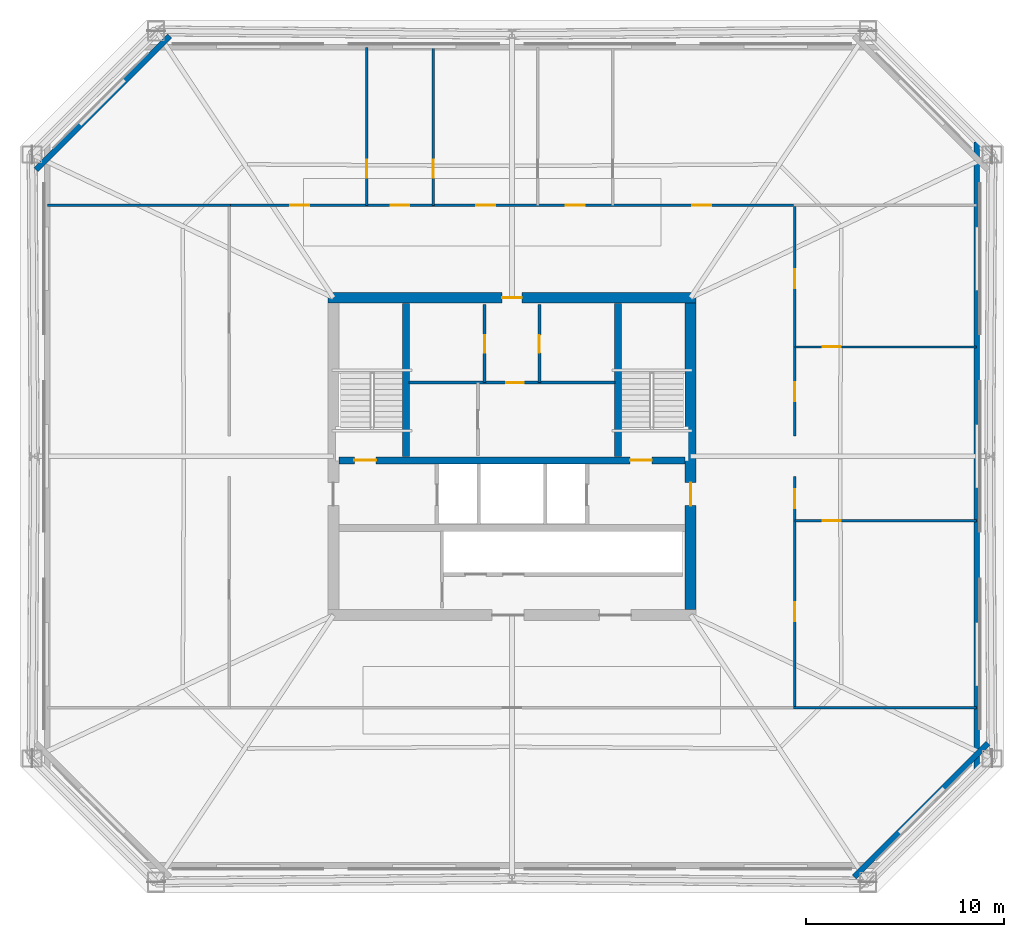
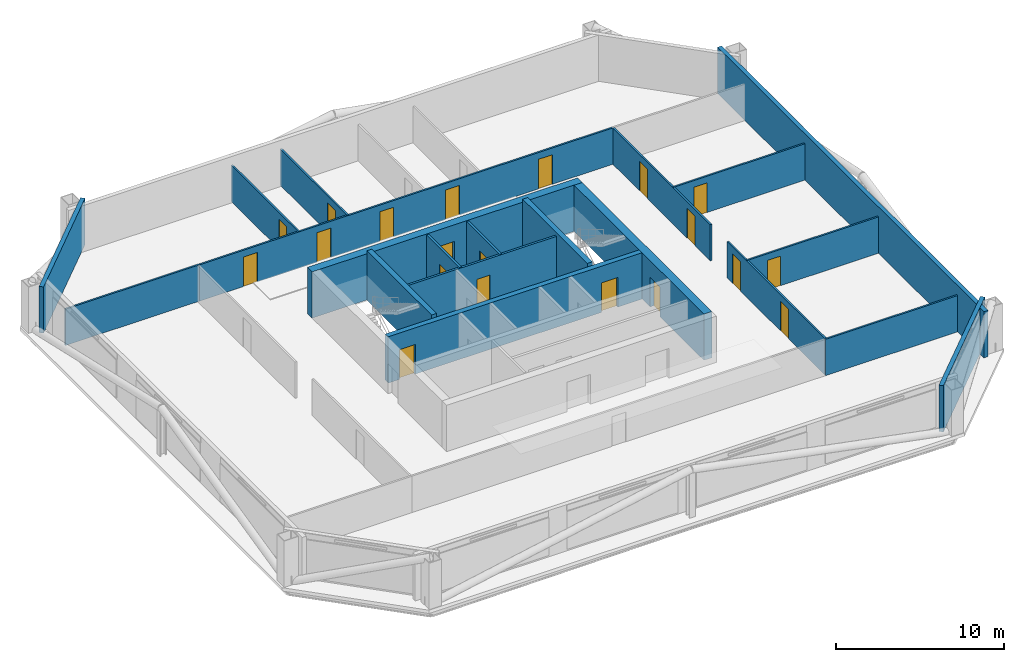
# One storey, part 3 of 6: 20 doors, 20 walls, 20 openings.
"""IFC4 building model written with IfcOpenShell, lengths in metres."""

import ifcopenshell
import ifcopenshell.guid

model = None  # the IFC model being written
_history = None  # IfcOwnerHistory: only IFC2X3 demands one
_inside = {}  # id of a spatial element -> (the spatial element, [elements in it])
_under = {}  # id of a project, library or spatial element -> (it, [spatial elements below it])
_declared = {}  # id of a project -> (the project, [libraries it declares])
_typed = {}  # id of a type object -> (the type object, [elements of that type])
_made_of = {}  # id of a material, layer set ... -> (it, [elements and type objects made of it])


def new_model(schema):
    """Start an empty IFC model of exactly this schema.

    Asked for "IFC4X3", IfcOpenShell would pick the latest addendum, in which some entities
    have other attributes; the version numbers below select the first issue.
    IFC2X3 requires an IfcOwnerHistory on every rooted entity: one is made here for all.
    """
    global model, _history
    if schema == "IFC4X3":
        model = ifcopenshell.file(schema_version=(4, 3, 0, 0))
    else:
        model = ifcopenshell.file(schema=schema)
    _inside.clear()
    _under.clear()
    _declared.clear()
    _typed.clear()
    _made_of.clear()
    _history = None
    if model.schema == "IFC2X3":
        org = make("IfcOrganization", Name="unknown")
        user = make(
            "IfcPersonAndOrganization",
            ThePerson=make("IfcPerson", FamilyName="unknown"),
            TheOrganization=org,
        )
        app = make(
            "IfcApplication",
            ApplicationDeveloper=org,
            Version="unknown",
            ApplicationFullName="unknown",
            ApplicationIdentifier="unknown",
        )
        _history = make(
            "IfcOwnerHistory",
            OwningUser=user,
            OwningApplication=app,
            ChangeAction="ADDED",
            CreationDate=0,
        )
    return model


def make(cls, **values):
    """One entity of the class cls with the attributes given. An attribute that is None is left unset."""
    return model.create_entity(
        cls, **{name: value for name, value in values.items() if value is not None}
    )


def rooted(cls, **values):
    """An entity with a GlobalId (a new one), such as an element, a storey or a relation."""
    return make(cls, GlobalId=ifcopenshell.guid.new(), OwnerHistory=_history, **values)


def si_unit(unit_type, name, prefix=None):
    """IfcSIUnit, for example si_unit("LENGTHUNIT", "METRE", prefix="MILLI")."""
    return make("IfcSIUnit", UnitType=unit_type, Prefix=prefix, Name=name)


def assignment(units):
    """IfcUnitAssignment: the units of a project."""
    return None if units is None else make("IfcUnitAssignment", Units=units)


def point(xyz):
    """IfcCartesianPoint."""
    return None if xyz is None else make("IfcCartesianPoint", Coordinates=xyz)


def direction(xyz):
    """IfcDirection."""
    return None if xyz is None else make("IfcDirection", DirectionRatios=xyz)


def frame(location, z_axis=None, x_axis=None):
    """IfcAxis2Placement3D, a coordinate frame: its origin and axes. An axis left out is left unset."""
    return make(
        "IfcAxis2Placement3D",
        Location=point(location),
        Axis=direction(z_axis),
        RefDirection=direction(x_axis),
    )


def frame_2d(location, x_axis=None):
    """IfcAxis2Placement2D, a coordinate frame in the plane: its origin and x axis."""
    return make(
        "IfcAxis2Placement2D", Location=point(location), RefDirection=direction(x_axis)
    )


def origin():
    """The frame at (0, 0, 0) with its axes left unset."""
    return frame((0.0, 0.0, 0.0))


def place(relative_to, where):
    """IfcLocalPlacement: puts the frame where relative to a parent placement (None: the world)."""
    return make(
        "IfcLocalPlacement", PlacementRelTo=relative_to, RelativePlacement=where
    )


def context(
    kind, dimensions, precision=None, world=None, true_north=None, identifier=None
):
    """IfcGeometricRepresentationContext, for example the 3D "Model" context."""
    return make(
        "IfcGeometricRepresentationContext",
        ContextIdentifier=identifier,
        ContextType=kind,
        CoordinateSpaceDimension=dimensions,
        Precision=precision,
        WorldCoordinateSystem=world,
        TrueNorth=true_north,
    )


def subcontext(parent, identifier, kind, view, scale=None):
    """IfcGeometricRepresentationSubContext, for example "Body" below "Model"."""
    return make(
        "IfcGeometricRepresentationSubContext",
        ContextIdentifier=identifier,
        ContextType=kind,
        ParentContext=parent,
        TargetScale=scale,
        TargetView=view,
    )


def project(units=None, contexts=None):
    """IfcProject with its units and contexts."""
    return rooted(
        "IfcProject",
        Name="project",
        RepresentationContexts=contexts,
        UnitsInContext=assignment(units),
    )


def spatial(cls, under=None, at=None, **own):
    """A site, building, storey or space (cls), placed at a placement, below another one or the project."""
    s = rooted(cls, ObjectPlacement=at, **own)
    if under is not None:
        _under.setdefault(under.id(), (under, []))[1].append(s)
    return s


def profile(cls, at=None, kind="AREA", **sizes):
    """A parametric profile (cls). Its sizes go by their IFC names, for example OverallWidth=200.0."""
    return make(cls, ProfileType=kind, Position=at, **sizes)


def rectangle(**sizes):
    """IfcRectangleProfileDef."""
    return profile("IfcRectangleProfileDef", **sizes)


def extrude(swept, where, along, depth):
    """IfcExtrudedAreaSolid: the profile swept, set in the frame where, extruded along a direction by depth."""
    return make(
        "IfcExtrudedAreaSolid",
        SweptArea=swept,
        Position=where,
        ExtrudedDirection=direction(along),
        Depth=depth,
    )


def shape(context_of_items, identifier, shape_type, items):
    """IfcShapeRepresentation: the items that make up one representation, for example the "Body"."""
    return make(
        "IfcShapeRepresentation",
        ContextOfItems=context_of_items,
        RepresentationIdentifier=identifier,
        RepresentationType=shape_type,
        Items=items,
    )


def material(Name=None, Category=None):
    """IfcMaterial."""
    return make("IfcMaterial", Name=Name, Category=Category)


def layer(
    of_material, thickness, ventilated=None, Name=None, Category=None, Priority=None
):
    """IfcMaterialLayer: one layer of a wall or slab, of a material (None: an air gap)."""
    return make(
        "IfcMaterialLayer",
        Material=of_material,
        LayerThickness=thickness,
        IsVentilated=ventilated,
        Name=Name,
        Category=Category,
        Priority=Priority,
    )


def layer_set(layers, Name=None):
    """IfcMaterialLayerSet."""
    return make("IfcMaterialLayerSet", MaterialLayers=layers, LayerSetName=Name)


def made_of(thing, what):
    """Note that an element or type object is made of a material, layer set ...; save() writes the relation."""
    if what is not None:
        _made_of.setdefault(what.id(), (what, []))[1].append(thing)
    return thing


def type_object(cls, material=None, **own):
    """A type object (cls), such as IfcWallType, which elements share."""
    return made_of(rooted(cls, **own), material)


def element(
    cls,
    number,
    at=None,
    inside=None,
    cuts=None,
    type_object=None,
    material=None,
    context=None,
    identifier="Body",
    shape_type=None,
    held_by="IfcProductDefinitionShape",
    body=None,
    shapes=None,
    **own,
):
    """One element of the class cls, such as IfcWall. Its Tag is "e" and its number.

    at: its placement. inside: the storey or other place that contains it. cuts: it is an
    opening in that element (IfcRelVoidsElement). A single representation is given by context,
    identifier, shape_type and body (its items); several are given by shapes. held_by: the class
    of the entity that holds the representations. save() writes the other relations.
    """
    e = rooted(cls, Tag="e%d" % number, ObjectPlacement=at, **own)
    if body is not None:
        shapes = [shape(context, identifier, shape_type, body)]
    if shapes is not None:
        e.Representation = make(held_by, Representations=shapes)
    if inside is not None:
        _inside.setdefault(inside.id(), (inside, []))[1].append(e)
    if cuts is not None:
        rooted(
            "IfcRelVoidsElement", RelatingBuildingElement=cuts, RelatedOpeningElement=e
        )
    if type_object is not None:
        _typed.setdefault(type_object.id(), (type_object, []))[1].append(e)
    return made_of(e, material)


def fill(opening, filler):
    """IfcRelFillsElement: the door or window that sits in an opening."""
    return rooted(
        "IfcRelFillsElement",
        RelatingOpeningElement=opening,
        RelatedBuildingElement=filler,
    )


def aggregate(whole, parts):
    """IfcRelAggregates: a whole, such as a stair, and the parts it consists of."""
    return rooted("IfcRelAggregates", RelatingObject=whole, RelatedObjects=parts)


def save(model, path):
    """Write the relations noted so far, then the file.

    IfcRelAggregates (storeys below a building ...), IfcRelContainedInSpatialStructure (elements
    in a storey), IfcRelDefinesByType, IfcRelAssociatesMaterial and IfcRelDeclares: one each for
    every whole, place, type object, material and project.
    """
    for whole, parts in _under.values():
        aggregate(whole, parts)
    for where, things in _inside.values():
        rooted(
            "IfcRelContainedInSpatialStructure",
            RelatedElements=things,
            RelatingStructure=where,
        )
    for kind, things in _typed.values():
        rooted("IfcRelDefinesByType", RelatedObjects=things, RelatingType=kind)
    for what, things in _made_of.values():
        rooted("IfcRelAssociatesMaterial", RelatedObjects=things, RelatingMaterial=what)
    for by, libraries in _declared.values():
        rooted("IfcRelDeclares", RelatingContext=by, RelatedDefinitions=libraries)
    model.write(path)


model = new_model("IFC4")

# Units and contexts
model_context = context("Model", 3, precision=1e-05, world=origin(), true_north=direction((0.0, 1.0)))
body_context = subcontext(model_context, "Body", "Model", "MODEL_VIEW")
ifc_project = project(units=[si_unit("LENGTHUNIT", "METRE"), si_unit("AREAUNIT", "SQUARE_METRE"), si_unit("VOLUMEUNIT", "CUBIC_METRE"), si_unit("PLANEANGLEUNIT", "RADIAN"), si_unit("MASSUNIT", "GRAM", prefix="KILO")], contexts=[model_context])

# Site, building, storey
site_placement = place(None, origin())
site = spatial("IfcSite", under=ifc_project, at=site_placement, CompositionType="ELEMENT")
building_placement = place(site_placement, origin())
building = spatial("IfcBuilding", under=site, at=building_placement, Name="Caelvoria Tower", CompositionType="ELEMENT")
storey_placement = place(building_placement, frame((0.0, 0.0, 160.0)))
storey = spatial("IfcBuildingStorey", under=building, at=storey_placement, Name="L42", CompositionType="ELEMENT", Elevation=160.0)

# Wall, openings, doors
ifc_material_1 = material(Name="Concrete C50/60", Category="concrete")
ifc_layer_1 = layer(ifc_material_1, 0.35009765625, Name="Concrete C50/60")
ifc_layer_set_1 = layer_set([ifc_layer_1], Name="Core Internal Shear Wall 350 - Concrete C50/60")
wall_type_1 = type_object("IfcWallType", Name="Core Internal Shear Wall 350", PredefinedType="SHEAR", material=ifc_layer_set_1)
wall_1_placement = place(storey_placement, frame((37.27490234375, 31.800048828125, 0.0), z_axis=(0.0, 0.0, 1.0), x_axis=(1.0, 0.0, 0.0)))
wall_1 = element("IfcWall", 1, at=wall_1_placement, inside=storey, type_object=wall_type_1, Name="Core Shear Wall L42 M1", PredefinedType="SHEAR", context=body_context, shape_type="SweptSolid", body=[
    extrude(rectangle(XDim=17.4501953125, YDim=0.35009765625, at=frame_2d((8.72509765625, 0.0))), origin(), (0.0, 0.0, 1.0), 3.360107421875),
])
opening_1_placement = place(wall_1_placement, frame((0.77490234375, 0.0, 0.0)))
opening_1 = element("IfcOpeningElement", 2, at=opening_1_placement, cuts=wall_1, Name="Opening ID-01", PredefinedType="OPENING", context=body_context, shape_type="SweptSolid", body=[
    extrude(rectangle(XDim=1.10009765625, YDim=2.14990234375, at=frame_2d((0.550048828125, 1.074951171875))), frame((0.0, 0.18505859375, 0.0), z_axis=(0.0, -1.0, 0.0), x_axis=(1.0, 0.0, 0.0)), (0.0, 0.0, 1.0), 0.3701171875),
])
opening_2_placement = place(wall_1_placement, frame((14.675048828125, 0.0, 0.0)))
opening_2 = element("IfcOpeningElement", 3, at=opening_2_placement, cuts=wall_1, Name="Opening ID-01", PredefinedType="OPENING", context=body_context, shape_type="SweptSolid", body=[
    extrude(rectangle(XDim=1.10009765625, YDim=2.14990234375, at=frame_2d((0.550048828125, 1.074951171875))), frame((0.0, 0.18505859375, 0.0), z_axis=(0.0, -1.0, 0.0), x_axis=(1.0, 0.0, 0.0)), (0.0, 0.0, 1.0), 0.3701171875),
])
ifc_material_2 = material(Name="Painted Hollow Steel Fire Door", Category="steel")
door_type_1 = type_object("IfcDoorType", Name="Fire Door FD90S 1100x2150", OperationType="NOTDEFINED", PredefinedType="DOOR", material=ifc_material_2)
door_1_placement = place(opening_1_placement, origin())
door_1 = element("IfcDoor", 4, at=door_1_placement, inside=storey, type_object=door_type_1, Name="Core Door DR-L42-ST1", OperationType="SINGLE_SWING_LEFT", OverallHeight=2.14990234375, OverallWidth=1.10009765625, PredefinedType="DOOR", context=body_context, shape_type="SweptSolid", body=[
    extrude(rectangle(XDim=1.10009765625, YDim=2.14990234375, at=frame_2d((0.550048828125, 1.074951171875))), frame((0.0, 0.02490234375, 0.0), z_axis=(0.0, -1.0, 0.0), x_axis=(1.0, 0.0, 0.0)), (0.0, 0.0, 1.0), 0.050048828125),
])
fill(opening_1, door_1)
door_2_placement = place(opening_2_placement, origin())
door_2 = element("IfcDoor", 5, at=door_2_placement, inside=storey, type_object=door_type_1, Name="Core Door DR-L42-ST2", OperationType="SINGLE_SWING_RIGHT", OverallHeight=2.14990234375, OverallWidth=1.10009765625, PredefinedType="DOOR", context=body_context, shape_type="SweptSolid", body=[
    extrude(rectangle(XDim=1.10009765625, YDim=2.14990234375, at=frame_2d((0.550048828125, 1.074951171875))), frame((0.0, 0.02490234375, 0.0), z_axis=(0.0, -1.0, 0.0), x_axis=(1.0, 0.0, 0.0)), (0.0, 0.0, 1.0), 0.050048828125),
])
fill(opening_2, door_2)

# Walls
for number, where, z_axis, x_axis, name in (
    (6, (40.64990234375, 32.0, 0.0), (0.0, 0.0, 1.0), (0.0, 1.0, 0.0), "Interior Partition IW-L42-ST1E"),
    (7, (51.35009765625, 32.0, 0.0), (0.0, 0.0, 1.0), (0.0, 1.0, 0.0), "Interior Partition IW-L42-ST2W"),
):
    element("IfcWall", number, at=place(storey_placement, frame(where, z_axis=z_axis, x_axis=x_axis)), inside=storey, type_object=wall_type_1, Name=name, PredefinedType="SHEAR", context=body_context, shape_type="SweptSolid", body=[
        extrude(rectangle(XDim=7.699951171875, YDim=0.35009765625, at=frame_2d((3.85009765625, 0.0))), origin(), (0.0, 0.0, 1.0), 3.60009765625),
    ])

# Wall, opening, door
ifc_material_3 = material(Name="Double Gypsum Board on Steel Stud", Category="steel")
ifc_layer_2 = layer(ifc_material_3, 0.14990234375, Name="Double Gypsum Board on Steel Stud")
ifc_layer_set_2 = layer_set([ifc_layer_2], Name="Core Service Acoustic Partition Wall 150 - Double Gypsum Board on Steel Stud")
wall_type_2 = type_object("IfcWallType", Name="Core Service Acoustic Partition Wall 150", PredefinedType="PARTITIONING", material=ifc_layer_set_2)
wall_2_placement = place(storey_placement, frame((44.6201171875, 35.719970703125, 0.0), z_axis=(0.0, 0.0, 1.0), x_axis=(0.0, 1.0, 0.0)))
wall_2 = element("IfcWall", 8, at=wall_2_placement, inside=storey, type_object=wall_type_2, Name="Interior Partition IW-L42-C0L", PredefinedType="PARTITIONING", context=body_context, shape_type="SweptSolid", body=[
    extrude(rectangle(XDim=3.929931640625, YDim=0.14990234375, at=frame_2d((1.96484375, 0.0))), origin(), (0.0, 0.0, 1.0), 3.360107421875),
])
opening_3_placement = place(wall_2_placement, frame((1.5, 0.0, 0.0)))
opening_3 = element("IfcOpeningElement", 9, at=opening_3_placement, cuts=wall_2, Name="Opening ID-06", PredefinedType="OPENING", context=body_context, shape_type="SweptSolid", body=[
    extrude(rectangle(XDim=0.89990234375, YDim=2.14990234375, at=frame_2d((0.449951171875, 1.074951171875))), frame((0.0, 0.0849609375, 0.0), z_axis=(0.0, -1.0, 0.0), x_axis=(1.0, 0.0, 0.0)), (0.0, 0.0, 1.0), 0.169921875),
])
ifc_material_4 = material(Name="Engineered Andean Oak Veneer Door", Category="wood")
door_type_2 = type_object("IfcDoorType", Name="Interior Timber Door 900x2150", OperationType="NOTDEFINED", PredefinedType="DOOR", material=ifc_material_4)
door_3_placement = place(opening_3_placement, origin())
door_3 = element("IfcDoor", 10, at=door_3_placement, inside=storey, type_object=door_type_2, Name="Interior Door DR-L42-C01", OperationType="SINGLE_SWING_LEFT", OverallHeight=2.14990234375, OverallWidth=0.89990234375, PredefinedType="DOOR", context=body_context, shape_type="SweptSolid", body=[
    extrude(rectangle(XDim=0.89990234375, YDim=2.14990234375, at=frame_2d((0.449951171875, 1.074951171875))), frame((0.0, 0.02490234375, 0.0), z_axis=(0.0, -1.0, 0.0), x_axis=(1.0, 0.0, 0.0)), (0.0, 0.0, 1.0), 0.050048828125),
])
fill(opening_3, door_3)

wall_3_placement = place(storey_placement, frame((47.3798828125, 35.719970703125, 0.0), z_axis=(0.0, 0.0, 1.0), x_axis=(0.0, 1.0, 0.0)))
wall_3 = element("IfcWall", 11, at=wall_3_placement, inside=storey, type_object=wall_type_2, Name="Interior Partition IW-L42-C0R", PredefinedType="PARTITIONING", context=body_context, shape_type="SweptSolid", body=[
    extrude(rectangle(XDim=3.929931640625, YDim=0.14990234375, at=frame_2d((1.96484375, 0.0))), origin(), (0.0, 0.0, 1.0), 3.360107421875),
])
opening_4_placement = place(wall_3_placement, frame((1.5, 0.0, 0.0)))
opening_4 = element("IfcOpeningElement", 12, at=opening_4_placement, cuts=wall_3, Name="Opening ID-06", PredefinedType="OPENING", context=body_context, shape_type="SweptSolid", body=[
    extrude(rectangle(XDim=0.89990234375, YDim=2.14990234375, at=frame_2d((0.449951171875, 1.074951171875))), frame((0.0, 0.0849609375, 0.0), z_axis=(0.0, -1.0, 0.0), x_axis=(1.0, 0.0, 0.0)), (0.0, 0.0, 1.0), 0.169921875),
])
door_4_placement = place(opening_4_placement, origin())
door_4 = element("IfcDoor", 13, at=door_4_placement, inside=storey, type_object=door_type_2, Name="Interior Door DR-L42-C02", OperationType="SINGLE_SWING_RIGHT", OverallHeight=2.14990234375, OverallWidth=0.89990234375, PredefinedType="DOOR", context=body_context, shape_type="SweptSolid", body=[
    extrude(rectangle(XDim=0.89990234375, YDim=2.14990234375, at=frame_2d((0.449951171875, 1.074951171875))), frame((0.0, 0.02490234375, 0.0), z_axis=(0.0, -1.0, 0.0), x_axis=(1.0, 0.0, 0.0)), (0.0, 0.0, 1.0), 0.050048828125),
])
fill(opening_4, door_4)

wall_4_placement = place(storey_placement, frame((40.800048828125, 35.719970703125, 0.0), z_axis=(0.0, 0.0, 1.0), x_axis=(1.0, 0.0, 0.0)))
wall_4 = element("IfcWall", 14, at=wall_4_placement, inside=storey, type_object=wall_type_2, Name="Interior Partition IW-L42-C0H", PredefinedType="PARTITIONING", context=body_context, shape_type="SweptSolid", body=[
    extrude(rectangle(XDim=10.39990234375, YDim=0.14990234375, at=frame_2d((5.199951171875, 0.0))), origin(), (0.0, 0.0, 1.0), 3.360107421875),
])
opening_5_placement = place(wall_4_placement, frame((4.89990234375, 0.0, 0.0)))
opening_5 = element("IfcOpeningElement", 15, at=opening_5_placement, cuts=wall_4, Name="Opening ID-04", PredefinedType="OPENING", context=body_context, shape_type="SweptSolid", body=[
    extrude(rectangle(XDim=0.89990234375, YDim=2.14990234375, at=frame_2d((0.449951171875, 1.074951171875))), frame((0.0, 0.0849609375, 0.0), z_axis=(0.0, -1.0, 0.0), x_axis=(1.0, 0.0, 0.0)), (0.0, 0.0, 1.0), 0.169921875),
])
ifc_material_5 = material(Name="Acoustic Timber Fire Door", Category="wood")
door_type_3 = type_object("IfcDoorType", Name="Fire Door FD30S 900x2150", OperationType="NOTDEFINED", PredefinedType="DOOR", material=ifc_material_5)
door_5_placement = place(opening_5_placement, origin())
door_5 = element("IfcDoor", 16, at=door_5_placement, inside=storey, type_object=door_type_3, Name="Interior Door DR-L42-C04", OperationType="SINGLE_SWING_RIGHT", OverallHeight=2.14990234375, OverallWidth=0.89990234375, PredefinedType="DOOR", context=body_context, shape_type="SweptSolid", body=[
    extrude(rectangle(XDim=0.89990234375, YDim=2.14990234375, at=frame_2d((0.449951171875, 1.074951171875))), frame((0.0, 0.02490234375, 0.0), z_axis=(0.0, -1.0, 0.0), x_axis=(1.0, 0.0, 0.0)), (0.0, 0.0, 1.0), 0.050048828125),
])
fill(opening_5, door_5)

# Walls
ifc_material_6 = material(Name="Precast Concrete C40/50 with Bronze Cladding", Category="concrete")
ifc_layer_3 = layer(ifc_material_6, 0.280029296875, Name="Precast Concrete C40/50 with Bronze Cladding")
ifc_layer_set_3 = layer_set([ifc_layer_3], Name="Exterior Precast Concrete C40/50 Bronze-Clad Facade Wall 280 - Precast Concrete C40/50 with Bronze Cladding")
wall_type_3 = type_object("IfcWallType", Name="Exterior Precast Concrete C40/50 Bronze-Clad Facade Wall 280", PredefinedType="STANDARD", material=ifc_layer_set_3)
wall_5_placement = place(storey_placement, frame((63.25439453125, 10.80615234375, 0.0), z_axis=(0.0, 0.0, 1.0), x_axis=(0.707119588888, 0.707093973253, 0.0)))
element("IfcWall", 17, at=wall_5_placement, inside=storey, type_object=wall_type_3, Name="Exterior Facade Wall L42-E1", PredefinedType="STANDARD", context=body_context, shape_type="SweptSolid", body=[
    extrude(rectangle(XDim=9.531005859375, YDim=0.280029296875, at=frame_2d((4.765625, 0.0))), origin(), (0.0, 0.0, 1.0), 3.360107421875),
])
wall_6_placement = place(storey_placement, frame((69.419921875, 16.159912109375, 0.0), z_axis=(0.0, 0.0, 1.0), x_axis=(0.0, 1.0, 0.0)))
element("IfcWall", 18, at=wall_6_placement, inside=storey, type_object=wall_type_3, Name="Exterior Facade Wall L42-E2", PredefinedType="STANDARD", context=body_context, shape_type="SweptSolid", body=[
    extrude(rectangle(XDim=31.68017578125, YDim=0.280029296875, at=frame_2d((15.840087890625, 0.0))), origin(), (0.0, 0.0, 1.0), 3.360107421875),
])
wall_7_placement = place(storey_placement, frame((28.74560546875, 53.19384765625, 0.0), z_axis=(0.0, 0.0, 1.0), x_axis=(-0.707119588888, -0.707093973253, 0.0)))
element("IfcWall", 19, at=wall_7_placement, inside=storey, type_object=wall_type_3, Name="Exterior Facade Wall L42-E5", PredefinedType="STANDARD", context=body_context, shape_type="SweptSolid", body=[
    extrude(rectangle(XDim=9.531005859375, YDim=0.280029296875, at=frame_2d((4.765625, 0.0))), origin(), (0.0, 0.0, 1.0), 3.360107421875),
])

# Wall, opening, door
ifc_material_7 = material(Name="Concrete C55/67", Category="concrete")
ifc_layer_4 = layer(ifc_material_7, 0.550048828125, Name="Concrete C55/67")
ifc_layer_set_4 = layer_set([ifc_layer_4], Name="Mid Core Shear Wall 550 - Concrete C55/67")
wall_type_4 = type_object("IfcWallType", Name="Mid Core Shear Wall 550", PredefinedType="SHEAR", material=ifc_layer_set_4)
wall_8_placement = place(storey_placement, frame((36.72509765625, 40.0, 0.0), z_axis=(0.0, 0.0, 1.0), x_axis=(1.0, 0.0, 0.0)))
wall_8 = element("IfcWall", 20, at=wall_8_placement, inside=storey, type_object=wall_type_4, Name="Core Shear Wall L42 N", PredefinedType="SHEAR", context=body_context, shape_type="SweptSolid", body=[
    extrude(rectangle(XDim=18.5498046875, YDim=0.550048828125, at=frame_2d((9.27490234375, 0.0))), origin(), (0.0, 0.0, 1.0), 3.360107421875),
])
opening_6_placement = place(wall_8_placement, frame((8.77490234375, 0.0, 0.0)))
opening_6 = element("IfcOpeningElement", 21, at=opening_6_placement, cuts=wall_8, Name="Opening ID-03", PredefinedType="OPENING", context=body_context, shape_type="SweptSolid", body=[
    extrude(rectangle(XDim=1.0, YDim=2.14990234375, at=frame_2d((0.5, 1.074951171875))), frame((0.0, 0.284912109375, 0.0), z_axis=(0.0, -1.0, 0.0), x_axis=(1.0, 0.0, 0.0)), (0.0, 0.0, 1.0), 0.570068359375),
])
door_type_4 = type_object("IfcDoorType", Name="Fire Door FD60S 1000x2150", OperationType="NOTDEFINED", PredefinedType="DOOR", material=ifc_material_2)
door_6_placement = place(opening_6_placement, origin())
door_6 = element("IfcDoor", 22, at=door_6_placement, inside=storey, type_object=door_type_4, Name="Core Door DR-L42-WC-MAIN", OperationType="SINGLE_SWING_RIGHT", OverallHeight=2.14990234375, OverallWidth=1.0, PredefinedType="DOOR", context=body_context, shape_type="SweptSolid", body=[
    extrude(rectangle(XDim=1.0, YDim=2.14990234375, at=frame_2d((0.5, 1.074951171875))), frame((0.0, 0.02490234375, 0.0), z_axis=(0.0, -1.0, 0.0), x_axis=(1.0, 0.0, 0.0)), (0.0, 0.0, 1.0), 0.050048828125),
])
fill(opening_6, door_6)

wall_9_placement = place(storey_placement, frame((55.0, 24.27490234375, 0.0), z_axis=(0.0, 0.0, 1.0), x_axis=(0.0, 1.0, 0.0)))
wall_9 = element("IfcWall", 23, at=wall_9_placement, inside=storey, type_object=wall_type_4, Name="Core Shear Wall L42 E", PredefinedType="SHEAR", context=body_context, shape_type="SweptSolid", body=[
    extrude(rectangle(XDim=15.4501953125, YDim=0.550048828125, at=frame_2d((7.72509765625, 0.0))), origin(), (0.0, 0.0, 1.0), 3.360107421875),
])
opening_7_placement = place(wall_9_placement, frame((5.25, 0.0, 0.0)))
opening_7 = element("IfcOpeningElement", 24, at=opening_7_placement, cuts=wall_9, Name="Opening ID-02", PredefinedType="OPENING", context=body_context, shape_type="SweptSolid", body=[
    extrude(rectangle(XDim=1.14990234375, YDim=2.14990234375, at=frame_2d((0.574951171875, 1.074951171875))), frame((0.0, 0.284912109375, 0.0), z_axis=(0.0, -1.0, 0.0), x_axis=(1.0, 0.0, 0.0)), (0.0, 0.0, 1.0), 0.570068359375),
])
door_type_5 = type_object("IfcDoorType", Name="Fire Door FD60S 1150x2150", OperationType="NOTDEFINED", PredefinedType="DOOR", material=ifc_material_2)
door_7_placement = place(opening_7_placement, origin())
door_7 = element("IfcDoor", 25, at=door_7_placement, inside=storey, type_object=door_type_5, Name="Core Door DR-L42-FFLE-OUT", OperationType="SINGLE_SWING_RIGHT", OverallHeight=2.14990234375, OverallWidth=1.14990234375, PredefinedType="DOOR", context=body_context, shape_type="SweptSolid", body=[
    extrude(rectangle(XDim=1.14990234375, YDim=2.14990234375, at=frame_2d((0.574951171875, 1.074951171875))), frame((0.0, 0.02490234375, 0.0), z_axis=(0.0, -1.0, 0.0), x_axis=(1.0, 0.0, 0.0)), (0.0, 0.0, 1.0), 0.050048828125),
])
fill(opening_7, door_7)

ifc_material_8 = material(Name="Acoustic Gypsum Board on Light-Gauge Stud", Category="gypsum")
ifc_layer_5 = layer(ifc_material_8, 0.1201171875, Name="Acoustic Gypsum Board on Light-Gauge Stud")
ifc_layer_set_5 = layer_set([ifc_layer_5], Name="Tenant Suite Acoustic Partition Wall 120 - Acoustic Gypsum Board on Light-Gauge Stud")
wall_type_5 = type_object("IfcWallType", Name="Tenant Suite Acoustic Partition Wall 120", PredefinedType="PARTITIONING", material=ifc_layer_set_5)
wall_10_placement = place(storey_placement, frame((38.67041015625, 44.659912109375, 0.0), z_axis=(0.0, 0.0, 1.0), x_axis=(0.0, 1.0, 0.0)))
wall_10 = element("IfcWall", 26, at=wall_10_placement, inside=storey, type_object=wall_type_5, Name="Interior Partition IW-L42-ND-00-0", PredefinedType="PARTITIONING", context=body_context, shape_type="SweptSolid", body=[
    extrude(rectangle(XDim=7.960205078125, YDim=0.1201171875, at=frame_2d((3.97998046875, 0.0))), origin(), (0.0, 0.0, 1.0), 2.639892578125),
])
opening_8_placement = place(wall_10_placement, frame((1.39990234375, 0.0, 0.0)))
opening_8 = element("IfcOpeningElement", 27, at=opening_8_placement, cuts=wall_10, Name="Opening ID-06", PredefinedType="OPENING", context=body_context, shape_type="SweptSolid", body=[
    extrude(rectangle(XDim=0.89990234375, YDim=2.14990234375, at=frame_2d((0.449951171875, 1.074951171875))), frame((0.0, 0.070068359375, 0.0), z_axis=(0.0, -1.0, 0.0), x_axis=(1.0, 0.0, 0.0)), (0.0, 0.0, 1.0), 0.14013671875),
])
door_8_placement = place(opening_8_placement, origin())
door_8 = element("IfcDoor", 28, at=door_8_placement, inside=storey, type_object=door_type_2, Name="Interior Door DR-L42-NM-00-0", OperationType="SINGLE_SWING_RIGHT", OverallHeight=2.14990234375, OverallWidth=0.89990234375, PredefinedType="DOOR", context=body_context, shape_type="SweptSolid", body=[
    extrude(rectangle(XDim=0.89990234375, YDim=2.14990234375, at=frame_2d((0.449951171875, 1.074951171875))), frame((0.0, 0.02490234375, 0.0), z_axis=(0.0, -1.0, 0.0), x_axis=(1.0, 0.0, 0.0)), (0.0, 0.0, 1.0), 0.050048828125),
])
fill(opening_8, door_8)

wall_11_placement = place(storey_placement, frame((42.0341796875, 44.659912109375, 0.0), z_axis=(0.0, 0.0, 1.0), x_axis=(0.0, 1.0, 0.0)))
wall_11 = element("IfcWall", 29, at=wall_11_placement, inside=storey, type_object=wall_type_5, Name="Interior Partition IW-L42-ND-01-0", PredefinedType="PARTITIONING", context=body_context, shape_type="SweptSolid", body=[
    extrude(rectangle(XDim=7.960205078125, YDim=0.1201171875, at=frame_2d((3.97998046875, 0.0))), origin(), (0.0, 0.0, 1.0), 2.639892578125),
])
opening_9_placement = place(wall_11_placement, frame((1.39990234375, 0.0, 0.0)))
opening_9 = element("IfcOpeningElement", 30, at=opening_9_placement, cuts=wall_11, Name="Opening ID-06", PredefinedType="OPENING", context=body_context, shape_type="SweptSolid", body=[
    extrude(rectangle(XDim=0.89990234375, YDim=2.14990234375, at=frame_2d((0.449951171875, 1.074951171875))), frame((0.0, 0.070068359375, 0.0), z_axis=(0.0, -1.0, 0.0), x_axis=(1.0, 0.0, 0.0)), (0.0, 0.0, 1.0), 0.14013671875),
])
door_9_placement = place(opening_9_placement, origin())
door_9 = element("IfcDoor", 31, at=door_9_placement, inside=storey, type_object=door_type_2, Name="Interior Door DR-L42-NM-01-0", OperationType="SINGLE_SWING_LEFT", OverallHeight=2.14990234375, OverallWidth=0.89990234375, PredefinedType="DOOR", context=body_context, shape_type="SweptSolid", body=[
    extrude(rectangle(XDim=0.89990234375, YDim=2.14990234375, at=frame_2d((0.449951171875, 1.074951171875))), frame((0.0, 0.02490234375, 0.0), z_axis=(0.0, -1.0, 0.0), x_axis=(1.0, 0.0, 0.0)), (0.0, 0.0, 1.0), 0.050048828125),
])
fill(opening_9, door_9)

# Wall, openings, doors
wall_12_placement = place(storey_placement, frame((31.800048828125, 44.659912109375, 0.0), z_axis=(0.0, 0.0, 1.0), x_axis=(1.0, 0.0, 0.0)))
wall_12 = element("IfcWall", 32, at=wall_12_placement, inside=storey, type_object=wall_type_5, Name="Interior Partition IW-L42-NCW-0", PredefinedType="PARTITIONING", context=body_context, shape_type="SweptSolid", body=[
    extrude(rectangle(XDim=28.39990234375, YDim=0.1201171875, at=frame_2d((14.199951171875, 0.0))), origin(), (0.0, 0.0, 1.0), 2.639892578125),
])
opening_10_placement = place(wall_12_placement, frame((3.0302734375, 0.0, 0.0)))
opening_10 = element("IfcOpeningElement", 33, at=opening_10_placement, cuts=wall_12, Name="Opening ID-05", PredefinedType="OPENING", context=body_context, shape_type="SweptSolid", body=[
    extrude(rectangle(XDim=0.949951171875, YDim=2.14990234375, at=frame_2d((0.47509765625, 1.074951171875))), frame((0.0, 0.070068359375, 0.0), z_axis=(0.0, -1.0, 0.0), x_axis=(1.0, 0.0, 0.0)), (0.0, 0.0, 1.0), 0.14013671875),
])
opening_11_placement = place(wall_12_placement, frame((8.077392578125, 0.0, 0.0)))
opening_11 = element("IfcOpeningElement", 34, at=opening_11_placement, cuts=wall_12, Name="Opening ID-05", PredefinedType="OPENING", context=body_context, shape_type="SweptSolid", body=[
    extrude(rectangle(XDim=0.949951171875, YDim=2.14990234375, at=frame_2d((0.47509765625, 1.074951171875))), frame((0.0, 0.070068359375, 0.0), z_axis=(0.0, -1.0, 0.0), x_axis=(1.0, 0.0, 0.0)), (0.0, 0.0, 1.0), 0.14013671875),
])
opening_12_placement = place(wall_12_placement, frame((12.3955078125, 0.0, 0.0)))
opening_12 = element("IfcOpeningElement", 35, at=opening_12_placement, cuts=wall_12, Name="Opening ID-05", PredefinedType="OPENING", context=body_context, shape_type="SweptSolid", body=[
    extrude(rectangle(XDim=0.949951171875, YDim=2.14990234375, at=frame_2d((0.47509765625, 1.074951171875))), frame((0.0, 0.070068359375, 0.0), z_axis=(0.0, -1.0, 0.0), x_axis=(1.0, 0.0, 0.0)), (0.0, 0.0, 1.0), 0.14013671875),
])
opening_13_placement = place(wall_12_placement, frame((16.918212890625, 0.0, 0.0)))
opening_13 = element("IfcOpeningElement", 36, at=opening_13_placement, cuts=wall_12, Name="Opening ID-05", PredefinedType="OPENING", context=body_context, shape_type="SweptSolid", body=[
    extrude(rectangle(XDim=0.949951171875, YDim=2.14990234375, at=frame_2d((0.47509765625, 1.074951171875))), frame((0.0, 0.070068359375, 0.0), z_axis=(0.0, -1.0, 0.0), x_axis=(1.0, 0.0, 0.0)), (0.0, 0.0, 1.0), 0.14013671875),
])
opening_14_placement = place(wall_12_placement, frame((23.294921875, 0.0, 0.0)))
opening_14 = element("IfcOpeningElement", 37, at=opening_14_placement, cuts=wall_12, Name="Opening ID-05", PredefinedType="OPENING", context=body_context, shape_type="SweptSolid", body=[
    extrude(rectangle(XDim=0.949951171875, YDim=2.14990234375, at=frame_2d((0.47509765625, 1.074951171875))), frame((0.0, 0.070068359375, 0.0), z_axis=(0.0, -1.0, 0.0), x_axis=(1.0, 0.0, 0.0)), (0.0, 0.0, 1.0), 0.14013671875),
])
door_type_6 = type_object("IfcDoorType", Name="Interior Timber Door 950x2150", OperationType="NOTDEFINED", PredefinedType="DOOR", material=ifc_material_4)
door_10_placement = place(opening_10_placement, origin())
door_10 = element("IfcDoor", 38, at=door_10_placement, inside=storey, type_object=door_type_6, Name="Interior Door DR-L42-NC-00-0", OperationType="SINGLE_SWING_LEFT", OverallHeight=2.14990234375, OverallWidth=0.949951171875, PredefinedType="DOOR", context=body_context, shape_type="SweptSolid", body=[
    extrude(rectangle(XDim=0.949951171875, YDim=2.14990234375, at=frame_2d((0.47509765625, 1.074951171875))), frame((0.0, 0.02490234375, 0.0), z_axis=(0.0, -1.0, 0.0), x_axis=(1.0, 0.0, 0.0)), (0.0, 0.0, 1.0), 0.050048828125),
])
fill(opening_10, door_10)
door_11_placement = place(opening_11_placement, origin())
door_11 = element("IfcDoor", 39, at=door_11_placement, inside=storey, type_object=door_type_6, Name="Interior Door DR-L42-NC-01-0", OperationType="SINGLE_SWING_RIGHT", OverallHeight=2.14990234375, OverallWidth=0.949951171875, PredefinedType="DOOR", context=body_context, shape_type="SweptSolid", body=[
    extrude(rectangle(XDim=0.949951171875, YDim=2.14990234375, at=frame_2d((0.47509765625, 1.074951171875))), frame((0.0, 0.02490234375, 0.0), z_axis=(0.0, -1.0, 0.0), x_axis=(1.0, 0.0, 0.0)), (0.0, 0.0, 1.0), 0.050048828125),
])
fill(opening_11, door_11)
door_12_placement = place(opening_12_placement, origin())
door_12 = element("IfcDoor", 40, at=door_12_placement, inside=storey, type_object=door_type_6, Name="Interior Door DR-L42-NC-02-0", OperationType="SINGLE_SWING_LEFT", OverallHeight=2.14990234375, OverallWidth=0.949951171875, PredefinedType="DOOR", context=body_context, shape_type="SweptSolid", body=[
    extrude(rectangle(XDim=0.949951171875, YDim=2.14990234375, at=frame_2d((0.47509765625, 1.074951171875))), frame((0.0, 0.02490234375, 0.0), z_axis=(0.0, -1.0, 0.0), x_axis=(1.0, 0.0, 0.0)), (0.0, 0.0, 1.0), 0.050048828125),
])
fill(opening_12, door_12)
door_13_placement = place(opening_13_placement, origin())
door_13 = element("IfcDoor", 41, at=door_13_placement, inside=storey, type_object=door_type_6, Name="Interior Door DR-L42-NC-03-0", OperationType="SINGLE_SWING_RIGHT", OverallHeight=2.14990234375, OverallWidth=0.949951171875, PredefinedType="DOOR", context=body_context, shape_type="SweptSolid", body=[
    extrude(rectangle(XDim=0.949951171875, YDim=2.14990234375, at=frame_2d((0.47509765625, 1.074951171875))), frame((0.0, 0.02490234375, 0.0), z_axis=(0.0, -1.0, 0.0), x_axis=(1.0, 0.0, 0.0)), (0.0, 0.0, 1.0), 0.050048828125),
])
fill(opening_13, door_13)
door_14_placement = place(opening_14_placement, origin())
door_14 = element("IfcDoor", 42, at=door_14_placement, inside=storey, type_object=door_type_6, Name="Interior Door DR-L42-NC-04-0", OperationType="SINGLE_SWING_LEFT", OverallHeight=2.14990234375, OverallWidth=0.949951171875, PredefinedType="DOOR", context=body_context, shape_type="SweptSolid", body=[
    extrude(rectangle(XDim=0.949951171875, YDim=2.14990234375, at=frame_2d((0.47509765625, 1.074951171875))), frame((0.0, 0.02490234375, 0.0), z_axis=(0.0, -1.0, 0.0), x_axis=(1.0, 0.0, 0.0)), (0.0, 0.0, 1.0), 0.050048828125),
])
fill(opening_14, door_14)

# Wall, opening, door
wall_13_placement = place(storey_placement, frame((60.260009765625, 28.758056640625, 0.0), z_axis=(0.0, 0.0, 1.0), x_axis=(1.0, 0.0, 0.0)))
wall_13 = element("IfcWall", 43, at=wall_13_placement, inside=storey, type_object=wall_type_5, Name="Interior Partition IW-L42-ED-00-0", PredefinedType="PARTITIONING", context=body_context, shape_type="SweptSolid", body=[
    extrude(rectangle(XDim=9.159912109375, YDim=0.1201171875, at=frame_2d((4.580078125, 0.0))), origin(), (0.0, 0.0, 1.0), 2.639892578125),
])
opening_15_placement = place(wall_13_placement, frame((1.39990234375, 0.0, 0.0)))
opening_15 = element("IfcOpeningElement", 44, at=opening_15_placement, cuts=wall_13, Name="Opening ID-06", PredefinedType="OPENING", context=body_context, shape_type="SweptSolid", body=[
    extrude(rectangle(XDim=0.89990234375, YDim=2.14990234375, at=frame_2d((0.449951171875, 1.074951171875))), frame((0.0, 0.070068359375, 0.0), z_axis=(0.0, -1.0, 0.0), x_axis=(1.0, 0.0, 0.0)), (0.0, 0.0, 1.0), 0.14013671875),
])
door_15_placement = place(opening_15_placement, origin())
door_15 = element("IfcDoor", 45, at=door_15_placement, inside=storey, type_object=door_type_2, Name="Interior Door DR-L42-EM-00-0", OperationType="SINGLE_SWING_RIGHT", OverallHeight=2.14990234375, OverallWidth=0.89990234375, PredefinedType="DOOR", context=body_context, shape_type="SweptSolid", body=[
    extrude(rectangle(XDim=0.89990234375, YDim=2.14990234375, at=frame_2d((0.449951171875, 1.074951171875))), frame((0.0, 0.02490234375, 0.0), z_axis=(0.0, -1.0, 0.0), x_axis=(1.0, 0.0, 0.0)), (0.0, 0.0, 1.0), 0.050048828125),
])
fill(opening_15, door_15)

wall_14_placement = place(storey_placement, frame((60.260009765625, 37.519287109375, 0.0), z_axis=(0.0, 0.0, 1.0), x_axis=(1.0, 0.0, 0.0)))
wall_14 = element("IfcWall", 46, at=wall_14_placement, inside=storey, type_object=wall_type_5, Name="Interior Partition IW-L42-ED-01-0", PredefinedType="PARTITIONING", context=body_context, shape_type="SweptSolid", body=[
    extrude(rectangle(XDim=9.159912109375, YDim=0.1201171875, at=frame_2d((4.580078125, 0.0))), origin(), (0.0, 0.0, 1.0), 2.639892578125),
])
opening_16_placement = place(wall_14_placement, frame((1.39990234375, 0.0, 0.0)))
opening_16 = element("IfcOpeningElement", 47, at=opening_16_placement, cuts=wall_14, Name="Opening ID-06", PredefinedType="OPENING", context=body_context, shape_type="SweptSolid", body=[
    extrude(rectangle(XDim=0.89990234375, YDim=2.14990234375, at=frame_2d((0.449951171875, 1.074951171875))), frame((0.0, 0.070068359375, 0.0), z_axis=(0.0, -1.0, 0.0), x_axis=(1.0, 0.0, 0.0)), (0.0, 0.0, 1.0), 0.14013671875),
])
door_16_placement = place(opening_16_placement, origin())
door_16 = element("IfcDoor", 48, at=door_16_placement, inside=storey, type_object=door_type_2, Name="Interior Door DR-L42-EM-01-0", OperationType="SINGLE_SWING_LEFT", OverallHeight=2.14990234375, OverallWidth=0.89990234375, PredefinedType="DOOR", context=body_context, shape_type="SweptSolid", body=[
    extrude(rectangle(XDim=0.89990234375, YDim=2.14990234375, at=frame_2d((0.449951171875, 1.074951171875))), frame((0.0, 0.02490234375, 0.0), z_axis=(0.0, -1.0, 0.0), x_axis=(1.0, 0.0, 0.0)), (0.0, 0.0, 1.0), 0.050048828125),
])
fill(opening_16, door_16)

# Wall, openings, doors
wall_15_placement = place(storey_placement, frame((60.260009765625, 19.39990234375, 0.0), z_axis=(0.0, 0.0, 1.0), x_axis=(0.0, 1.0, 0.0)))
wall_15 = element("IfcWall", 49, at=wall_15_placement, inside=storey, type_object=wall_type_5, Name="Interior Partition IW-L42-ECW-0", PredefinedType="PARTITIONING", context=body_context, shape_type="SweptSolid", body=[
    extrude(rectangle(XDim=11.580078125, YDim=0.1201171875, at=frame_2d((5.7900390625, 0.0))), origin(), (0.0, 0.0, 1.0), 2.639892578125),
])
opening_17_placement = place(wall_15_placement, frame((4.303955078125, 0.0, 0.0)))
opening_17 = element("IfcOpeningElement", 50, at=opening_17_placement, cuts=wall_15, Name="Opening ID-05", PredefinedType="OPENING", context=body_context, shape_type="SweptSolid", body=[
    extrude(rectangle(XDim=0.949951171875, YDim=2.14990234375, at=frame_2d((0.47509765625, 1.074951171875))), frame((0.0, 0.070068359375, 0.0), z_axis=(0.0, -1.0, 0.0), x_axis=(1.0, 0.0, 0.0)), (0.0, 0.0, 1.0), 0.14013671875),
])
opening_18_placement = place(wall_15_placement, frame((9.993896484375, 0.0, 0.0)))
opening_18 = element("IfcOpeningElement", 51, at=opening_18_placement, cuts=wall_15, Name="Opening ID-05", PredefinedType="OPENING", context=body_context, shape_type="SweptSolid", body=[
    extrude(rectangle(XDim=0.949951171875, YDim=2.14990234375, at=frame_2d((0.47509765625, 1.074951171875))), frame((0.0, 0.070068359375, 0.0), z_axis=(0.0, -1.0, 0.0), x_axis=(1.0, 0.0, 0.0)), (0.0, 0.0, 1.0), 0.14013671875),
])
door_17_placement = place(opening_17_placement, origin())
door_17 = element("IfcDoor", 52, at=door_17_placement, inside=storey, type_object=door_type_6, Name="Interior Door DR-L42-EC-00-0", OperationType="SINGLE_SWING_LEFT", OverallHeight=2.14990234375, OverallWidth=0.949951171875, PredefinedType="DOOR", context=body_context, shape_type="SweptSolid", body=[
    extrude(rectangle(XDim=0.949951171875, YDim=2.14990234375, at=frame_2d((0.47509765625, 1.074951171875))), frame((0.0, 0.02490234375, 0.0), z_axis=(0.0, -1.0, 0.0), x_axis=(1.0, 0.0, 0.0)), (0.0, 0.0, 1.0), 0.050048828125),
])
fill(opening_17, door_17)
door_18_placement = place(opening_18_placement, origin())
door_18 = element("IfcDoor", 53, at=door_18_placement, inside=storey, type_object=door_type_6, Name="Interior Door DR-L42-EC-01-1", OperationType="SINGLE_SWING_LEFT", OverallHeight=2.14990234375, OverallWidth=0.949951171875, PredefinedType="DOOR", context=body_context, shape_type="SweptSolid", body=[
    extrude(rectangle(XDim=0.949951171875, YDim=2.14990234375, at=frame_2d((0.47509765625, 1.074951171875))), frame((0.0, 0.02490234375, 0.0), z_axis=(0.0, -1.0, 0.0), x_axis=(1.0, 0.0, 0.0)), (0.0, 0.0, 1.0), 0.050048828125),
])
fill(opening_18, door_18)

wall_16_placement = place(storey_placement, frame((60.260009765625, 33.02001953125, 0.0), z_axis=(0.0, 0.0, 1.0), x_axis=(0.0, 1.0, 0.0)))
wall_16 = element("IfcWall", 54, at=wall_16_placement, inside=storey, type_object=wall_type_5, Name="Interior Partition IW-L42-ECW-1", PredefinedType="PARTITIONING", context=body_context, shape_type="SweptSolid", body=[
    extrude(rectangle(XDim=11.580078125, YDim=0.1201171875, at=frame_2d((5.7900390625, 0.0))), origin(), (0.0, 0.0, 1.0), 2.639892578125),
])
opening_19_placement = place(wall_16_placement, frame((1.774658203125, 0.0, 0.0)))
opening_19 = element("IfcOpeningElement", 55, at=opening_19_placement, cuts=wall_16, Name="Opening ID-05", PredefinedType="OPENING", context=body_context, shape_type="SweptSolid", body=[
    extrude(rectangle(XDim=0.949951171875, YDim=2.14990234375, at=frame_2d((0.47509765625, 1.074951171875))), frame((0.0, 0.070068359375, 0.0), z_axis=(0.0, -1.0, 0.0), x_axis=(1.0, 0.0, 0.0)), (0.0, 0.0, 1.0), 0.14013671875),
])
opening_20_placement = place(wall_16_placement, frame((7.464599609375, 0.0, 0.0)))
opening_20 = element("IfcOpeningElement", 56, at=opening_20_placement, cuts=wall_16, Name="Opening ID-05", PredefinedType="OPENING", context=body_context, shape_type="SweptSolid", body=[
    extrude(rectangle(XDim=0.949951171875, YDim=2.14990234375, at=frame_2d((0.47509765625, 1.074951171875))), frame((0.0, 0.070068359375, 0.0), z_axis=(0.0, -1.0, 0.0), x_axis=(1.0, 0.0, 0.0)), (0.0, 0.0, 1.0), 0.14013671875),
])
door_19_placement = place(opening_19_placement, origin())
door_19 = element("IfcDoor", 57, at=door_19_placement, inside=storey, type_object=door_type_6, Name="Interior Door DR-L42-EC-01-0", OperationType="SINGLE_SWING_RIGHT", OverallHeight=2.14990234375, OverallWidth=0.949951171875, PredefinedType="DOOR", context=body_context, shape_type="SweptSolid", body=[
    extrude(rectangle(XDim=0.949951171875, YDim=2.14990234375, at=frame_2d((0.47509765625, 1.074951171875))), frame((0.0, 0.02490234375, 0.0), z_axis=(0.0, -1.0, 0.0), x_axis=(1.0, 0.0, 0.0)), (0.0, 0.0, 1.0), 0.050048828125),
])
fill(opening_19, door_19)
door_20_placement = place(opening_20_placement, origin())
door_20 = element("IfcDoor", 58, at=door_20_placement, inside=storey, type_object=door_type_6, Name="Interior Door DR-L42-EC-02-0", OperationType="SINGLE_SWING_LEFT", OverallHeight=2.14990234375, OverallWidth=0.949951171875, PredefinedType="DOOR", context=body_context, shape_type="SweptSolid", body=[
    extrude(rectangle(XDim=0.949951171875, YDim=2.14990234375, at=frame_2d((0.47509765625, 1.074951171875))), frame((0.0, 0.02490234375, 0.0), z_axis=(0.0, -1.0, 0.0), x_axis=(1.0, 0.0, 0.0)), (0.0, 0.0, 1.0), 0.050048828125),
])
fill(opening_20, door_20)

# Walls
for number, where, z_axis, x_axis, name in (
    (59, (60.199951171875, 19.340087890625, 0.0), (0.0, 0.0, 1.0), (1.0, 0.0, 0.0), "Interior Partition IW-L42-BSE-0"),
    (60, (31.800048828125, 44.659912109375, 0.0), (0.0, 0.0, 1.0), (-1.0, 0.0, 0.0), "Interior Partition IW-L42-BNW-0"),
):
    element("IfcWall", number, at=place(storey_placement, frame(where, z_axis=z_axis, x_axis=x_axis)), inside=storey, type_object=wall_type_5, Name=name, PredefinedType="PARTITIONING", context=body_context, shape_type="SweptSolid", body=[
        extrude(rectangle(XDim=9.219970703125, YDim=0.1201171875, at=frame_2d((4.60986328125, 0.0))), origin(), (0.0, 0.0, 1.0), 2.639892578125),
    ])

save(model, "model.ifc")
